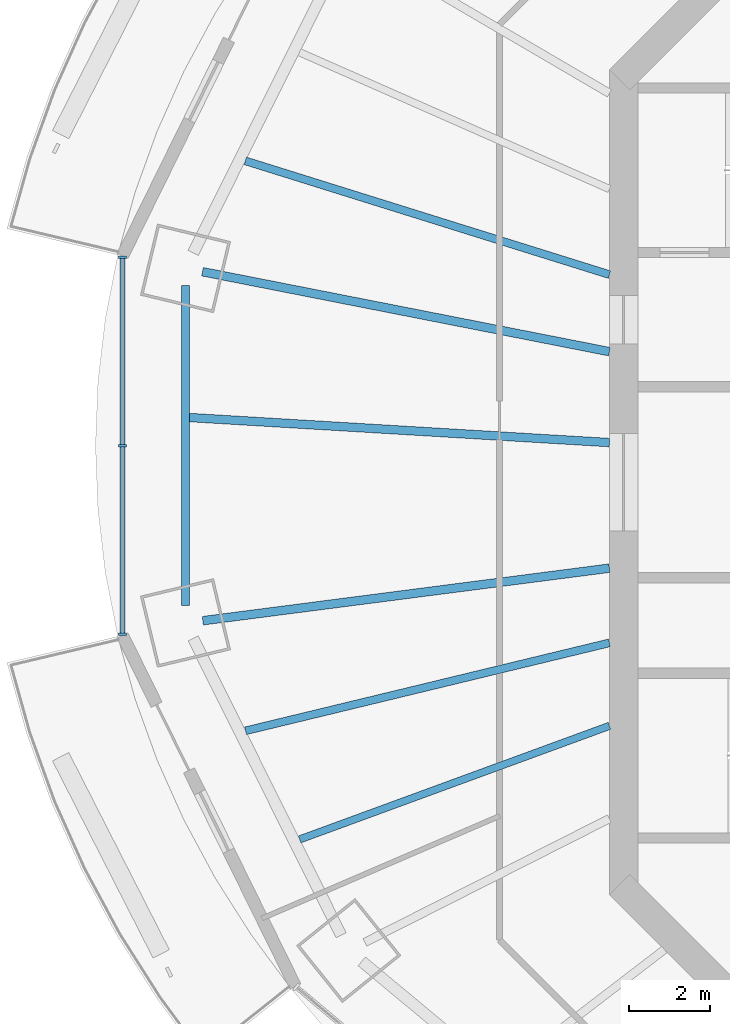
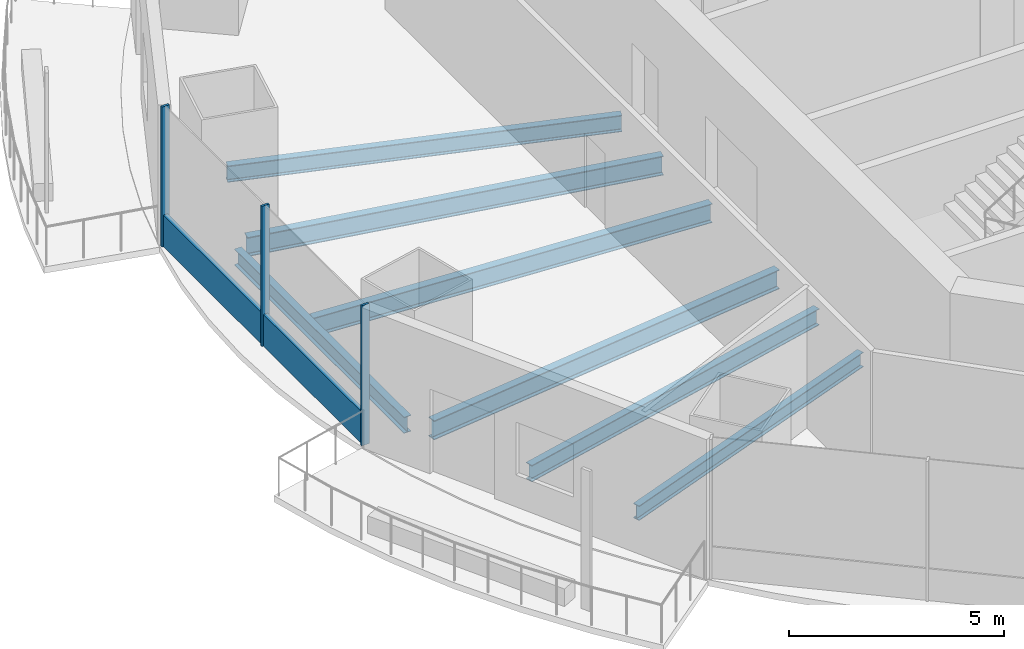
# One storey, part 3 of 16: 7 beams, 4 members, 1 element without a shape of its own.
"""IFC4 building model written with IfcOpenShell, lengths in metres."""

from ifc_helpers import new_model, si_unit, direction, frame, origin, origin_2d, place, context, subcontext, project, spatial, rectangle, i_section, extrude, material, material_profile, profile_set, type_object, element, aggregate, save


model = new_model("IFC4")

# Units and contexts
model_context = context("Model", 3, precision=1e-05, world=origin(), true_north=direction((0.0, 1.0)))
body_context = subcontext(model_context, "Body", "Model", "MODEL_VIEW")
ifc_project = project(units=[si_unit("LENGTHUNIT", "METRE"), si_unit("AREAUNIT", "SQUARE_METRE"), si_unit("VOLUMEUNIT", "CUBIC_METRE"), si_unit("PLANEANGLEUNIT", "RADIAN"), si_unit("MASSUNIT", "GRAM", prefix="KILO")], contexts=[model_context])

# Site, building, storey
site_placement = place(None, origin())
site = spatial("IfcSite", under=ifc_project, at=site_placement, CompositionType="ELEMENT")
building_placement = place(site_placement, origin())
building = spatial("IfcBuilding", under=site, at=building_placement, Name="Marenthal Gate Tower", CompositionType="ELEMENT")
storey_placement = place(building_placement, frame((0.0, 0.0, 305.25)))
storey = spatial("IfcBuildingStorey", under=building, at=storey_placement, Name="L68", CompositionType="ELEMENT", Elevation=305.25)

# Curtain wall, members
ifc_material_1 = material(Name="Aluminium and glass", Category="aluminium")
curtain_wall_type = type_object("IfcCurtainWallType", Name="Curtain wall typical high", PredefinedType="NOTDEFINED", material=ifc_material_1)
curtain_wall_placement = place(storey_placement, origin())
curtain_wall = element("IfcCurtainWall", 1, at=curtain_wall_placement, inside=storey, type_object=curtain_wall_type, Name="Curtain wall L68 bay 8", PredefinedType="NOTDEFINED")
ifc_material_2 = material(Name="Aluminium", Category="aluminium")
ifc_material_profile_1 = material_profile(ifc_material_2, rectangle(XDim=0.199951171875, YDim=0.06005859375, at=origin_2d()), Name="60x200 aluminium mullion")
ifc_profile_set_1 = profile_set([ifc_material_profile_1], Name="Aluminium")
member_type_1 = type_object("IfcMemberType", Name="Mullion 60x200 typical high", PredefinedType="MULLION", material=ifc_profile_set_1)
member_1_placement = place(storey_placement, frame((-28.328857421875, 5.5400390625, 0.0), z_axis=(0.0, 0.0, 1.0), x_axis=(1.0, 0.0, 0.0)))
member_1 = element("IfcMember", 2, at=member_1_placement, type_object=member_type_1, Name="Mullion L68 bay 8.1", PredefinedType="MULLION", context=body_context, shape_type="SweptSolid", body=[
    extrude(rectangle(XDim=0.199951171875, YDim=0.06005859375, at=origin_2d()), origin(), (0.0, 0.0, 1.0), 3.969970703125),
])
member_2_placement = place(storey_placement, frame((-28.328857421875, 0.89990234375, 0.0), z_axis=(0.0, 0.0, 1.0), x_axis=(1.0, 0.0, 0.0)))
member_2 = element("IfcMember", 3, at=member_2_placement, type_object=member_type_1, Name="Mullion L68 bay 8.2", PredefinedType="MULLION", context=body_context, shape_type="SweptSolid", body=[
    extrude(rectangle(XDim=0.199951171875, YDim=0.06005859375, at=origin_2d()), origin(), (0.0, 0.0, 1.0), 3.969970703125),
])
member_3_placement = place(storey_placement, frame((-28.328857421875, -3.739990234375, 0.0), z_axis=(0.0, 0.0, 1.0), x_axis=(1.0, 0.0, 0.0)))
member_3 = element("IfcMember", 4, at=member_3_placement, type_object=member_type_1, Name="Mullion L68 bay 8.3", PredefinedType="MULLION", context=body_context, shape_type="SweptSolid", body=[
    extrude(rectangle(XDim=0.199951171875, YDim=0.06005859375, at=origin_2d()), origin(), (0.0, 0.0, 1.0), 3.969970703125),
])
ifc_material_3 = material(Name="Aluminium", Category="aluminium")
ifc_material_profile_2 = material_profile(ifc_material_3, rectangle(XDim=0.1201171875, YDim=0.89990234375, at=origin_2d()), Name="120x900 aluminium transom")
ifc_profile_set_2 = profile_set([ifc_material_profile_2], Name="Aluminium")
member_type_2 = type_object("IfcMemberType", Name="Transom 120x900 typical high", PredefinedType="USERDEFINED", material=ifc_profile_set_2)
member_4_placement = place(storey_placement, frame((-28.328857421875, 5.510009765625, 0.449951171875), z_axis=(0.0, -1.0, 0.0), x_axis=(1.0, 0.0, 0.0)))
member_4 = element("IfcMember", 5, at=member_4_placement, type_object=member_type_2, Name="Transom L68 bay 8", ObjectType="TRANSOM", PredefinedType="USERDEFINED", context=body_context, shape_type="SweptSolid", body=[
    extrude(rectangle(XDim=0.1201171875, YDim=0.89990234375, at=origin_2d()), origin(), (0.0, 0.0, 1.0), 9.22021484375),
])
aggregate(curtain_wall, [member_1, member_2, member_3, member_4])

# Beams
ifc_material_4 = material(Name="Steel S355", Category="steel")
ifc_material_profile_3 = material_profile(ifc_material_4, i_section(OverallWidth=0.180908203125, OverallDepth=0.4169921875, WebThickness=0.010986328125, FlangeThickness=0.018310546875, FilletRadius=0.01025390625, at=origin_2d()), Name="W410X85")
ifc_profile_set_3 = profile_set([ifc_material_profile_3], Name="Steel S355")
beam_type_1 = type_object("IfcBeamType", Name="W410X85 beam", PredefinedType="BEAM", material=ifc_profile_set_3)
beam_1_placement = place(storey_placement, frame((-23.969970703125, -8.78662109375, -0.388427734375), z_axis=(0.938905805694, 0.344174211751, 0.0), x_axis=(-0.344174211751, 0.938905805694, 0.0)))
element("IfcBeam", 6, at=beam_1_placement, inside=storey, type_object=beam_type_1, Name="BM-L68-30", PredefinedType="BEAM", context=body_context, shape_type="SweptSolid", body=[
    extrude(i_section(OverallWidth=0.180908203125, OverallDepth=0.4169921875, WebThickness=0.010986328125, FlangeThickness=0.018310546875, FilletRadius=0.01025390625, at=origin_2d()), origin(), (0.0, 0.0, 1.0), 8.11572265625),
])
ifc_material_5 = material(Name="Steel S355", Category="steel")
ifc_material_profile_4 = material_profile(ifc_material_5, i_section(OverallWidth=0.19091796875, OverallDepth=0.45703125, WebThickness=0.009033203125, FlangeThickness=0.014404296875, FilletRadius=0.01025390625, at=origin_2d()), Name="W460X74")
ifc_profile_set_4 = profile_set([ifc_material_profile_4], Name="Steel S355")
beam_type_2 = type_object("IfcBeamType", Name="W460X74 beam", PredefinedType="BEAM", material=ifc_profile_set_4)
beam_2_placement = place(storey_placement, frame((-26.779296875, 4.83642578125, -0.408447265625), z_axis=(0.0, -1.0, 0.0), x_axis=(1.0, 0.0, 0.0)))
element("IfcBeam", 7, at=beam_2_placement, inside=storey, type_object=beam_type_2, Name="BM-L68-48", PredefinedType="BEAM", context=body_context, shape_type="SweptSolid", body=[
    extrude(i_section(OverallWidth=0.19091796875, OverallDepth=0.45703125, WebThickness=0.009033203125, FlangeThickness=0.014404296875, FilletRadius=0.01025390625, at=origin_2d()), origin(), (0.0, 0.0, 1.0), 7.872802734375),
])
ifc_material_6 = material(Name="Steel S355", Category="steel")
ifc_material_profile_5 = material_profile(ifc_material_6, i_section(OverallWidth=0.193115234375, OverallDepth=0.467041015625, WebThickness=0.011474609375, FlangeThickness=0.01904296875, FilletRadius=0.010009765625, at=origin_2d()), Name="W460X97")
ifc_profile_set_5 = profile_set([ifc_material_profile_5], Name="Steel S355")
beam_type_3 = type_object("IfcBeamType", Name="W460X97 beam", PredefinedType="BEAM", material=ifc_profile_set_5)
beam_3_placement = place(storey_placement, frame((-25.3056640625, 7.90625, -0.41357421875), z_axis=(0.954495718839, -0.298224617895, 0.0), x_axis=(0.298224617895, 0.954495718839, 0.0)))
element("IfcBeam", 8, at=beam_3_placement, inside=storey, type_object=beam_type_3, Name="BM-L68-27", PredefinedType="BEAM", context=body_context, shape_type="SweptSolid", body=[
    extrude(i_section(OverallWidth=0.193115234375, OverallDepth=0.467041015625, WebThickness=0.011474609375, FlangeThickness=0.01904296875, FilletRadius=0.010009765625, at=origin_2d()), origin(), (0.0, 0.0, 1.0), 9.382568359375),
])
beam_4_placement = place(storey_placement, frame((-25.301513671875, -6.11474609375, -0.41357421875), z_axis=(0.972016698111, 0.234911767679, 0.0), x_axis=(-0.234911767679, 0.972016698111, 0.0)))
element("IfcBeam", 9, at=beam_4_placement, inside=storey, type_object=beam_type_3, Name="BM-L68-29", PredefinedType="BEAM", context=body_context, shape_type="SweptSolid", body=[
    extrude(i_section(OverallWidth=0.193115234375, OverallDepth=0.467041015625, WebThickness=0.011474609375, FlangeThickness=0.01904296875, FilletRadius=0.010009765625, at=origin_2d()), origin(), (0.0, 0.0, 1.0), 9.209228515625),
])
ifc_material_7 = material(Name="Steel S355", Category="steel")
ifc_material_profile_6 = material_profile(ifc_material_7, i_section(OverallWidth=0.2099609375, OverallDepth=0.535888671875, WebThickness=0.010986328125, FlangeThickness=0.017333984375, FilletRadius=0.0126953125, at=origin_2d()), Name="W530X101")
ifc_profile_set_6 = profile_set([ifc_material_profile_6], Name="Steel S355")
beam_type_4 = type_object("IfcBeamType", Name="W530X101 beam", PredefinedType="BEAM", material=ifc_profile_set_6)
beam_5_placement = place(storey_placement, frame((-26.68359375, 1.59228515625, -0.447998046875), z_axis=(0.998223913862, -0.059573633379, 0.0), x_axis=(0.059573633379, 0.998223913862, 0.0)))
element("IfcBeam", 10, at=beam_5_placement, inside=storey, type_object=beam_type_4, Name="BM-L68-28", PredefinedType="BEAM", context=body_context, shape_type="SweptSolid", body=[
    extrude(i_section(OverallWidth=0.2099609375, OverallDepth=0.535888671875, WebThickness=0.010986328125, FlangeThickness=0.017333984375, FilletRadius=0.0126953125, at=origin_2d()), origin(), (0.0, 0.0, 1.0), 10.351806640625),
])
ifc_material_8 = material(Name="Steel S355", Category="steel")
ifc_material_profile_7 = material_profile(ifc_material_8, i_section(OverallWidth=0.2119140625, OverallDepth=0.5439453125, WebThickness=0.01318359375, FlangeThickness=0.021240234375, FilletRadius=0.0126953125, at=origin_2d()), Name="W530X123")
ifc_profile_set_7 = profile_set([ifc_material_profile_7], Name="Steel S355")
beam_type_5 = type_object("IfcBeamType", Name="W530X123 beam", PredefinedType="BEAM", material=ifc_profile_set_7)
beam_6_placement = place(storey_placement, frame((-26.361328125, 5.1796875, -0.451904296875), z_axis=(0.981238636223, -0.192797144126, 0.0), x_axis=(0.192797144126, 0.981238636223, 0.0)))
element("IfcBeam", 11, at=beam_6_placement, inside=storey, type_object=beam_type_5, Name="BM-L68-08", PredefinedType="BEAM", context=body_context, shape_type="SweptSolid", body=[
    extrude(i_section(OverallWidth=0.2119140625, OverallDepth=0.5439453125, WebThickness=0.01318359375, FlangeThickness=0.021240234375, FilletRadius=0.0126953125, at=origin_2d()), origin(), (0.0, 0.0, 1.0), 10.20263671875),
])
beam_7_placement = place(storey_placement, frame((-26.3525390625, -3.406494140625, -0.451904296875), z_axis=(0.991748505128, 0.128198683992, 0.0), x_axis=(-0.128198683992, 0.991748505128, 0.0)))
element("IfcBeam", 12, at=beam_7_placement, inside=storey, type_object=beam_type_5, Name="BM-L68-09", PredefinedType="BEAM", context=body_context, shape_type="SweptSolid", body=[
    extrude(i_section(OverallWidth=0.2119140625, OverallDepth=0.5439453125, WebThickness=0.01318359375, FlangeThickness=0.021240234375, FilletRadius=0.0126953125, at=origin_2d()), origin(), (0.0, 0.0, 1.0), 10.085693359375),
])

save(model, "model.ifc")
